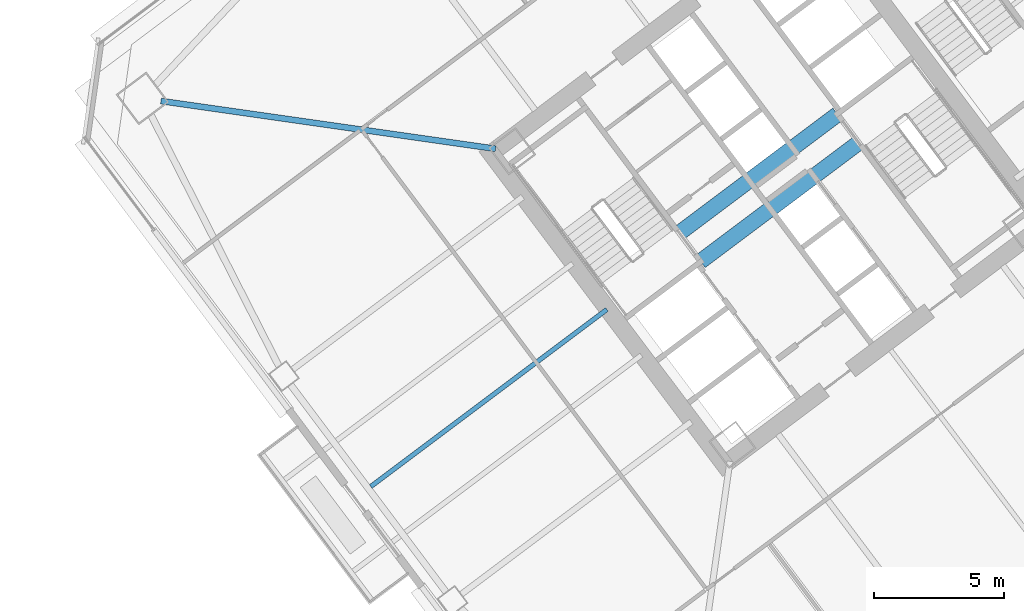
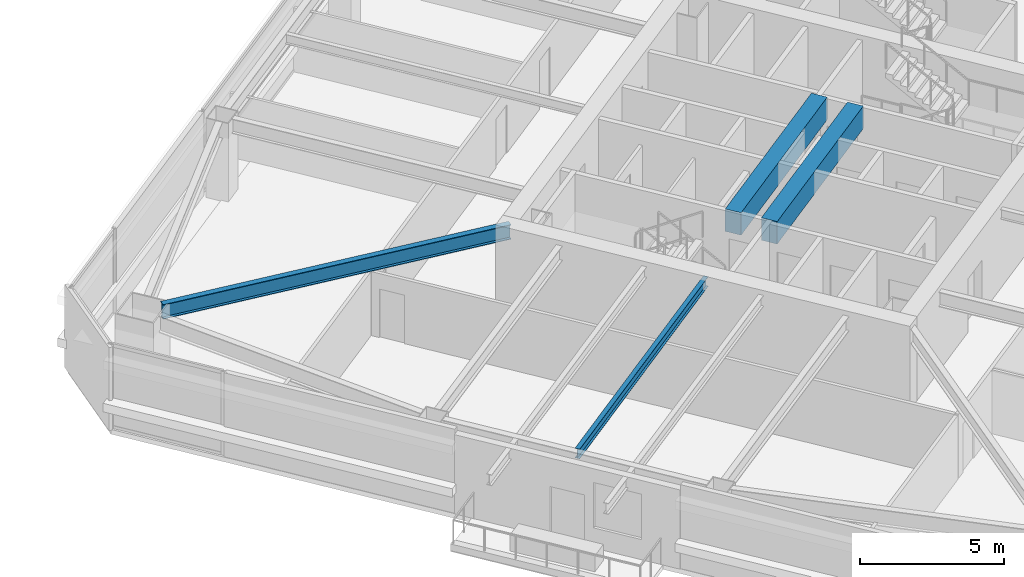
# One storey, part 20 of 44: 4 beams.
"""IFC4 building model written with IfcOpenShell, lengths in metres."""

import ifcopenshell
import ifcopenshell.guid

model = None  # the IFC model being written
_history = None  # IfcOwnerHistory: only IFC2X3 demands one
_inside = {}  # id of a spatial element -> (the spatial element, [elements in it])
_under = {}  # id of a project, library or spatial element -> (it, [spatial elements below it])
_declared = {}  # id of a project -> (the project, [libraries it declares])
_typed = {}  # id of a type object -> (the type object, [elements of that type])
_made_of = {}  # id of a material, layer set ... -> (it, [elements and type objects made of it])


def new_model(schema):
    """Start an empty IFC model of exactly this schema.

    Asked for "IFC4X3", IfcOpenShell would pick the latest addendum, in which some entities
    have other attributes; the version numbers below select the first issue.
    IFC2X3 requires an IfcOwnerHistory on every rooted entity: one is made here for all.
    """
    global model, _history
    if schema == "IFC4X3":
        model = ifcopenshell.file(schema_version=(4, 3, 0, 0))
    else:
        model = ifcopenshell.file(schema=schema)
    _inside.clear()
    _under.clear()
    _declared.clear()
    _typed.clear()
    _made_of.clear()
    _history = None
    if model.schema == "IFC2X3":
        org = make("IfcOrganization", Name="unknown")
        user = make(
            "IfcPersonAndOrganization",
            ThePerson=make("IfcPerson", FamilyName="unknown"),
            TheOrganization=org,
        )
        app = make(
            "IfcApplication",
            ApplicationDeveloper=org,
            Version="unknown",
            ApplicationFullName="unknown",
            ApplicationIdentifier="unknown",
        )
        _history = make(
            "IfcOwnerHistory",
            OwningUser=user,
            OwningApplication=app,
            ChangeAction="ADDED",
            CreationDate=0,
        )
    return model


def make(cls, **values):
    """One entity of the class cls with the attributes given. An attribute that is None is left unset."""
    return model.create_entity(
        cls, **{name: value for name, value in values.items() if value is not None}
    )


def rooted(cls, **values):
    """An entity with a GlobalId (a new one), such as an element, a storey or a relation."""
    return make(cls, GlobalId=ifcopenshell.guid.new(), OwnerHistory=_history, **values)


def si_unit(unit_type, name, prefix=None):
    """IfcSIUnit, for example si_unit("LENGTHUNIT", "METRE", prefix="MILLI")."""
    return make("IfcSIUnit", UnitType=unit_type, Prefix=prefix, Name=name)


def assignment(units):
    """IfcUnitAssignment: the units of a project."""
    return None if units is None else make("IfcUnitAssignment", Units=units)


def point(xyz):
    """IfcCartesianPoint."""
    return None if xyz is None else make("IfcCartesianPoint", Coordinates=xyz)


def direction(xyz):
    """IfcDirection."""
    return None if xyz is None else make("IfcDirection", DirectionRatios=xyz)


def frame(location, z_axis=None, x_axis=None):
    """IfcAxis2Placement3D, a coordinate frame: its origin and axes. An axis left out is left unset."""
    return make(
        "IfcAxis2Placement3D",
        Location=point(location),
        Axis=direction(z_axis),
        RefDirection=direction(x_axis),
    )


def frame_2d(location, x_axis=None):
    """IfcAxis2Placement2D, a coordinate frame in the plane: its origin and x axis."""
    return make(
        "IfcAxis2Placement2D", Location=point(location), RefDirection=direction(x_axis)
    )


def origin():
    """The frame at (0, 0, 0) with its axes left unset."""
    return frame((0.0, 0.0, 0.0))


def origin_2d():
    """The frame at (0, 0) in the plane with its x axis left unset."""
    return frame_2d((0.0, 0.0))


def place(relative_to, where):
    """IfcLocalPlacement: puts the frame where relative to a parent placement (None: the world)."""
    return make(
        "IfcLocalPlacement", PlacementRelTo=relative_to, RelativePlacement=where
    )


def context(
    kind, dimensions, precision=None, world=None, true_north=None, identifier=None
):
    """IfcGeometricRepresentationContext, for example the 3D "Model" context."""
    return make(
        "IfcGeometricRepresentationContext",
        ContextIdentifier=identifier,
        ContextType=kind,
        CoordinateSpaceDimension=dimensions,
        Precision=precision,
        WorldCoordinateSystem=world,
        TrueNorth=true_north,
    )


def subcontext(parent, identifier, kind, view, scale=None):
    """IfcGeometricRepresentationSubContext, for example "Body" below "Model"."""
    return make(
        "IfcGeometricRepresentationSubContext",
        ContextIdentifier=identifier,
        ContextType=kind,
        ParentContext=parent,
        TargetScale=scale,
        TargetView=view,
    )


def project(units=None, contexts=None):
    """IfcProject with its units and contexts."""
    return rooted(
        "IfcProject",
        Name="project",
        RepresentationContexts=contexts,
        UnitsInContext=assignment(units),
    )


def spatial(cls, under=None, at=None, **own):
    """A site, building, storey or space (cls), placed at a placement, below another one or the project."""
    s = rooted(cls, ObjectPlacement=at, **own)
    if under is not None:
        _under.setdefault(under.id(), (under, []))[1].append(s)
    return s


def profile(cls, at=None, kind="AREA", **sizes):
    """A parametric profile (cls). Its sizes go by their IFC names, for example OverallWidth=200.0."""
    return make(cls, ProfileType=kind, Position=at, **sizes)


def rectangle(**sizes):
    """IfcRectangleProfileDef."""
    return profile("IfcRectangleProfileDef", **sizes)


def i_section(**sizes):
    """IfcIShapeProfileDef."""
    return profile("IfcIShapeProfileDef", **sizes)


def extrude(swept, where, along, depth):
    """IfcExtrudedAreaSolid: the profile swept, set in the frame where, extruded along a direction by depth."""
    return make(
        "IfcExtrudedAreaSolid",
        SweptArea=swept,
        Position=where,
        ExtrudedDirection=direction(along),
        Depth=depth,
    )


def shape(context_of_items, identifier, shape_type, items):
    """IfcShapeRepresentation: the items that make up one representation, for example the "Body"."""
    return make(
        "IfcShapeRepresentation",
        ContextOfItems=context_of_items,
        RepresentationIdentifier=identifier,
        RepresentationType=shape_type,
        Items=items,
    )


def material(Name=None, Category=None):
    """IfcMaterial."""
    return make("IfcMaterial", Name=Name, Category=Category)


def material_profile(
    of_material, cross_section, Name=None, Category=None, Priority=None
):
    """IfcMaterialProfile: a cross section and its material."""
    return make(
        "IfcMaterialProfile",
        Name=Name,
        Material=of_material,
        Profile=cross_section,
        Priority=Priority,
        Category=Category,
    )


def profile_set(profiles, Name=None, composite=None):
    """IfcMaterialProfileSet."""
    return make(
        "IfcMaterialProfileSet",
        Name=Name,
        MaterialProfiles=profiles,
        CompositeProfile=composite,
    )


def made_of(thing, what):
    """Note that an element or type object is made of a material, layer set ...; save() writes the relation."""
    if what is not None:
        _made_of.setdefault(what.id(), (what, []))[1].append(thing)
    return thing


def type_object(cls, material=None, **own):
    """A type object (cls), such as IfcWallType, which elements share."""
    return made_of(rooted(cls, **own), material)


def element(
    cls,
    number,
    at=None,
    inside=None,
    cuts=None,
    type_object=None,
    material=None,
    context=None,
    identifier="Body",
    shape_type=None,
    held_by="IfcProductDefinitionShape",
    body=None,
    shapes=None,
    **own,
):
    """One element of the class cls, such as IfcWall. Its Tag is "e" and its number.

    at: its placement. inside: the storey or other place that contains it. cuts: it is an
    opening in that element (IfcRelVoidsElement). A single representation is given by context,
    identifier, shape_type and body (its items); several are given by shapes. held_by: the class
    of the entity that holds the representations. save() writes the other relations.
    """
    e = rooted(cls, Tag="e%d" % number, ObjectPlacement=at, **own)
    if body is not None:
        shapes = [shape(context, identifier, shape_type, body)]
    if shapes is not None:
        e.Representation = make(held_by, Representations=shapes)
    if inside is not None:
        _inside.setdefault(inside.id(), (inside, []))[1].append(e)
    if cuts is not None:
        rooted(
            "IfcRelVoidsElement", RelatingBuildingElement=cuts, RelatedOpeningElement=e
        )
    if type_object is not None:
        _typed.setdefault(type_object.id(), (type_object, []))[1].append(e)
    return made_of(e, material)


def aggregate(whole, parts):
    """IfcRelAggregates: a whole, such as a stair, and the parts it consists of."""
    return rooted("IfcRelAggregates", RelatingObject=whole, RelatedObjects=parts)


def save(model, path):
    """Write the relations noted so far, then the file.

    IfcRelAggregates (storeys below a building ...), IfcRelContainedInSpatialStructure (elements
    in a storey), IfcRelDefinesByType, IfcRelAssociatesMaterial and IfcRelDeclares: one each for
    every whole, place, type object, material and project.
    """
    for whole, parts in _under.values():
        aggregate(whole, parts)
    for where, things in _inside.values():
        rooted(
            "IfcRelContainedInSpatialStructure",
            RelatedElements=things,
            RelatingStructure=where,
        )
    for kind, things in _typed.values():
        rooted("IfcRelDefinesByType", RelatedObjects=things, RelatingType=kind)
    for what, things in _made_of.values():
        rooted("IfcRelAssociatesMaterial", RelatedObjects=things, RelatingMaterial=what)
    for by, libraries in _declared.values():
        rooted("IfcRelDeclares", RelatingContext=by, RelatedDefinitions=libraries)
    model.write(path)


model = new_model("IFC4")

# Units and contexts
model_context = context("Model", 3, precision=1e-05, world=origin(), true_north=direction((0.0, 1.0)))
body_context = subcontext(model_context, "Body", "Model", "MODEL_VIEW")
ifc_project = project(units=[si_unit("LENGTHUNIT", "METRE"), si_unit("AREAUNIT", "SQUARE_METRE"), si_unit("VOLUMEUNIT", "CUBIC_METRE"), si_unit("PLANEANGLEUNIT", "RADIAN"), si_unit("MASSUNIT", "GRAM", prefix="KILO")], contexts=[model_context])

# Site, building, storey
site_placement = place(None, origin())
site = spatial("IfcSite", under=ifc_project, at=site_placement, CompositionType="ELEMENT")
building_placement = place(site_placement, origin())
building = spatial("IfcBuilding", under=site, at=building_placement, Name="Tashvorn Skyway Center", CompositionType="ELEMENT")
storey_placement = place(building_placement, frame((0.0, 0.0, 84.949951171875)))
storey = spatial("IfcBuildingStorey", under=building, at=storey_placement, Name="L22", CompositionType="ELEMENT", Elevation=84.949951171875)

# Beams
ifc_material_1 = material(Name="Steel ASTM A992 Grade 50", Category="steel")
ifc_material_profile_1 = material_profile(ifc_material_1, i_section(OverallWidth=0.22998046875, OverallDepth=0.616943359375, WebThickness=0.01318359375, FlangeThickness=0.022216796875, at=origin_2d()), Name="W24X94")
ifc_profile_set_1 = profile_set([ifc_material_profile_1], Name="Steel ASTM A992 Grade 50")
beam_type_1 = type_object("IfcBeamType", Name="BM-BEAM-W24X94", PredefinedType="BEAM", material=ifc_profile_set_1)
beam_1_placement = place(storey_placement, frame((90.6328125, 35.338134765625, 3.04150390625), z_axis=(0.989949869571, -0.141418724841, 0.0), x_axis=(0.141418724841, 0.989949869571, 0.0)))
element("IfcBeam", 1, at=beam_1_placement, inside=storey, type_object=beam_type_1, Name="Tower 2 L22 Primary Floor Girder MC-NW", PredefinedType="BEAM", context=body_context, shape_type="SweptSolid", body=[
    extrude(i_section(OverallWidth=0.22998046875, OverallDepth=0.616943359375, WebThickness=0.01318359375, FlangeThickness=0.022216796875, at=origin_2d()), origin(), (0.0, 0.0, 1.0), 12.9892578125),
])
ifc_material_profile_2 = material_profile(ifc_material_1, i_section(OverallWidth=0.177978515625, OverallDepth=0.406005859375, WebThickness=0.0078125, FlangeThickness=0.0126953125, at=origin_2d()), Name="W16X40")
ifc_profile_set_2 = profile_set([ifc_material_profile_2], Name="Steel ASTM A992 Grade 50")
beam_type_2 = type_object("IfcBeamType", Name="BM-JOIST-W16X40", PredefinedType="JOIST", material=ifc_profile_set_2)
beam_2_placement = place(storey_placement, frame((107.76806640625, 27.325927734375, 3.14697265625), z_axis=(-0.800002583493, -0.599996555327, 0.0), x_axis=(0.599996555327, -0.800002583493, 0.0)))
element("IfcBeam", 2, at=beam_2_placement, inside=storey, type_object=beam_type_2, Name="Tower 2 L22 Secondary Composite Joist JW", PredefinedType="JOIST", context=body_context, shape_type="SweptSolid", body=[
    extrude(i_section(OverallWidth=0.177978515625, OverallDepth=0.406005859375, WebThickness=0.0078125, FlangeThickness=0.0126953125, at=origin_2d()), origin(), (0.0, 0.0, 1.0), 11.340087890625),
])
ifc_material_2 = material(Name="Concrete C60/75", Category="concrete")
ifc_material_profile_3 = material_profile(ifc_material_2, rectangle(XDim=0.60009765625, YDim=0.949951171875, at=origin_2d()), Name="RCB600x950")
ifc_profile_set_3 = profile_set([ifc_material_profile_3], Name="Concrete C60/75")
beam_type_3 = type_object("IfcBeamType", Name="BM-LINTEL-RCB600x950", PredefinedType="LINTEL", material=ifc_profile_set_3)
for number, where, z_axis, x_axis, name in (
    (3, (110.552001953125, 30.263916015625, 2.875), (0.8, 0.6, 0.0), (-0.6, 0.8, 0.0), "Tower 2 L22 Core Coupling Beam CN"),
    (4, (111.367919921875, 29.176025390625, 2.875), (0.8, 0.6, 0.0), (-0.6, 0.8, 0.0), "Tower 2 L22 Core Coupling Beam CS"),
):
    element("IfcBeam", number, at=place(storey_placement, frame(where, z_axis=z_axis, x_axis=x_axis)), inside=storey, type_object=beam_type_3, Name=name, PredefinedType="LINTEL", context=body_context, shape_type="SweptSolid", body=[
        extrude(rectangle(XDim=0.60009765625, YDim=0.949951171875, at=origin_2d()), origin(), (0.0, 0.0, 1.0), 7.60009765625),
    ])

save(model, "model.ifc")
